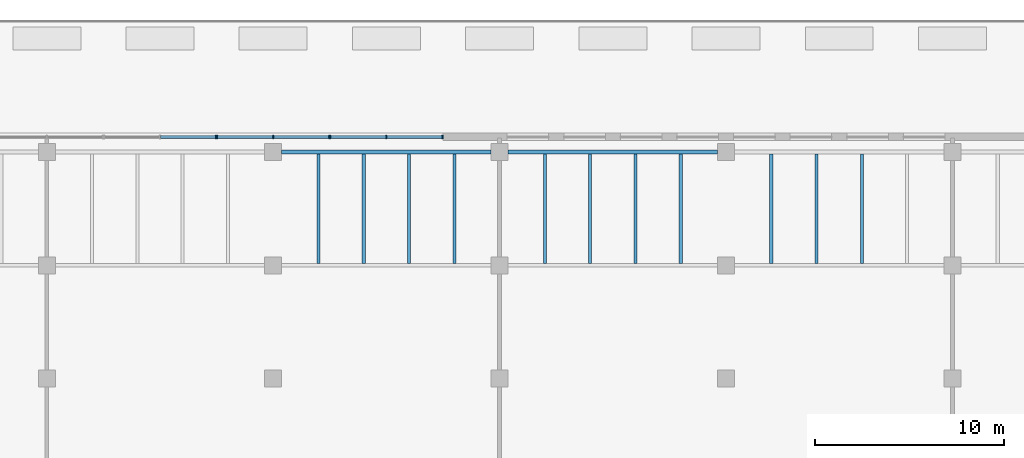
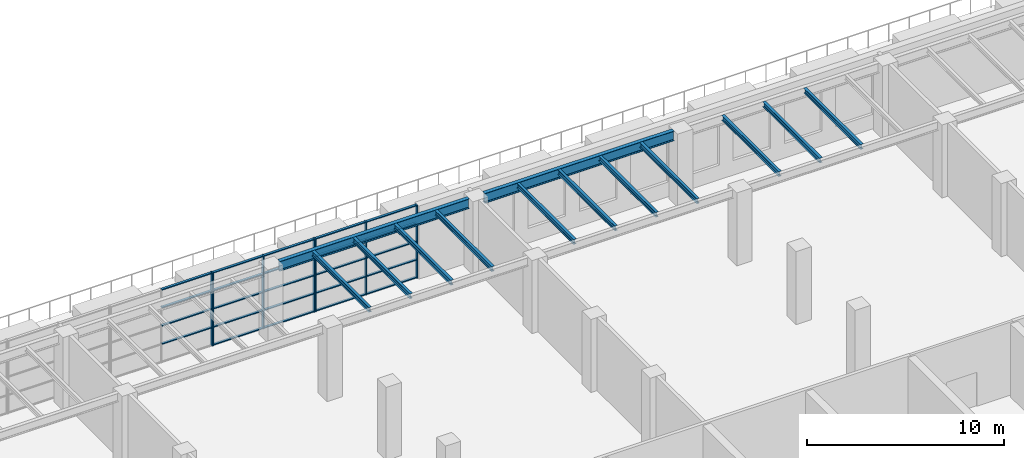
# One storey, part 3 of 20: 31 members, 13 beams, 3 elements without a shape of their own.
"""IFC4 building model written with IfcOpenShell, lengths in metres."""

from ifc_helpers import new_model, si_unit, direction, frame, origin, origin_2d, place, context, subcontext, project, spatial, rectangle, i_section, extrude, source, transform, mapped, material, layer, layer_set, material_profile, profile_set, type_object, element, aggregate, save


model = new_model("IFC4")

# Units and contexts
model_context = context("Model", 3, precision=1e-05, world=origin(), true_north=direction((0.0, 1.0)))
body_context = subcontext(model_context, "Body", "Model", "MODEL_VIEW")
ifc_project = project(units=[si_unit("LENGTHUNIT", "METRE"), si_unit("AREAUNIT", "SQUARE_METRE"), si_unit("VOLUMEUNIT", "CUBIC_METRE"), si_unit("PLANEANGLEUNIT", "RADIAN"), si_unit("MASSUNIT", "GRAM", prefix="KILO")], contexts=[model_context])

# Site, building, storey
site_placement = place(None, origin())
site = spatial("IfcSite", under=ifc_project, at=site_placement, CompositionType="ELEMENT")
building_placement = place(site_placement, origin())
building = spatial("IfcBuilding", under=site, at=building_placement, Name="Poui Terraces", CompositionType="ELEMENT")
storey_placement = place(building_placement, frame((0.0, 0.0, 6.0)))
storey = spatial("IfcBuildingStorey", under=building, at=storey_placement, Name="L01", CompositionType="ELEMENT", Elevation=6.0)

# Curtain wall, member
ifc_material_1 = material(Name="Clear glass", Category="glass")
ifc_layer = layer(ifc_material_1, 0.199951171875)
ifc_layer_set = layer_set([ifc_layer], Name="Clear glass")
curtain_wall_type = type_object("IfcCurtainWallType", Name="CURTAIN WALL CW-A HEALTH CENTRE FRONTAGE", PredefinedType="NOTDEFINED", material=ifc_layer_set)
curtain_wall_1_placement = place(storey_placement, origin())
curtain_wall_1 = element("IfcCurtainWall", 1, at=curtain_wall_1_placement, inside=storey, type_object=curtain_wall_type, Name="CW-A HEALTH CENTRE FRONTAGE", PredefinedType="NOTDEFINED")
ifc_material_2 = material(Name="Aluminium frame", Category="aluminium")
ifc_material_profile_1 = material_profile(ifc_material_2, rectangle(XDim=0.199951171875, YDim=0.06005859375, at=origin_2d()), Name="CW-A MULLION 60X200")
ifc_profile_set_1 = profile_set([ifc_material_profile_1], Name="Aluminium frame")
member_type_1 = type_object("IfcMemberType", Name="CW-A MULLION 60X200", PredefinedType="MULLION", material=ifc_profile_set_1)
member_1_placement = place(storey_placement, frame((32.969970703125, 68.800048828125, 0.0), z_axis=(0.0, 0.0, 1.0), x_axis=(0.0, -1.0, 0.0)))
member_1 = element("IfcMember", 2, at=member_1_placement, type_object=member_type_1, Name="CW-A mullion 1", PredefinedType="MULLION", context=body_context, shape_type="SweptSolid", body=[
    extrude(rectangle(XDim=0.199951171875, YDim=0.06005859375, at=origin_2d()), origin(), (0.0, 0.0, 1.0), 4.52001953125),
])

# Curtain wall, members
curtain_wall_2_placement = place(storey_placement, origin())
curtain_wall_2 = element("IfcCurtainWall", 3, at=curtain_wall_2_placement, inside=storey, type_object=curtain_wall_type, Name="CW-A HEALTH CENTRE FRONTAGE", PredefinedType="NOTDEFINED")
member_2_placement = place(storey_placement, frame((38.969970703125, 68.800048828125, 0.0), z_axis=(0.0, 0.0, 1.0), x_axis=(0.0, -1.0, 0.0)))
member_2 = element("IfcMember", 4, at=member_2_placement, type_object=member_type_1, Name="CW-A mullion 1", PredefinedType="MULLION", context=body_context, shape_type="SweptSolid", body=[
    extrude(rectangle(XDim=0.199951171875, YDim=0.06005859375, at=origin_2d()), origin(), (0.0, 0.0, 1.0), 4.52001953125),
])
member_3_placement = place(storey_placement, frame((36.0, 68.800048828125, 0.0), z_axis=(0.0, 0.0, 1.0), x_axis=(0.0, -1.0, 0.0)))
member_3 = element("IfcMember", 5, at=member_3_placement, type_object=member_type_1, Name="CW-A mullion 2", PredefinedType="MULLION", context=body_context, shape_type="SweptSolid", body=[
    extrude(rectangle(XDim=0.199951171875, YDim=0.06005859375, at=origin_2d()), origin(), (0.0, 0.0, 1.0), 4.52001953125),
])
member_4_placement = place(storey_placement, frame((33.030029296875, 68.800048828125, 0.0), z_axis=(0.0, 0.0, 1.0), x_axis=(0.0, -1.0, 0.0)))
member_4 = element("IfcMember", 6, at=member_4_placement, type_object=member_type_1, Name="CW-A mullion 3", PredefinedType="MULLION", context=body_context, shape_type="SweptSolid", body=[
    extrude(rectangle(XDim=0.199951171875, YDim=0.06005859375, at=origin_2d()), origin(), (0.0, 0.0, 1.0), 4.52001953125),
])

curtain_wall_3_placement = place(storey_placement, origin())
curtain_wall_3 = element("IfcCurtainWall", 7, at=curtain_wall_3_placement, inside=storey, type_object=curtain_wall_type, Name="CW-A HEALTH CENTRE FRONTAGE", PredefinedType="NOTDEFINED")
member_5_placement = place(storey_placement, frame((44.969970703125, 68.800048828125, 0.0), z_axis=(0.0, 0.0, 1.0), x_axis=(0.0, -1.0, 0.0)))
member_5 = element("IfcMember", 8, at=member_5_placement, type_object=member_type_1, Name="CW-A mullion 1", PredefinedType="MULLION", context=body_context, shape_type="SweptSolid", body=[
    extrude(rectangle(XDim=0.199951171875, YDim=0.06005859375, at=origin_2d()), origin(), (0.0, 0.0, 1.0), 4.52001953125),
])
member_6_placement = place(storey_placement, frame((42.0, 68.800048828125, 0.0), z_axis=(0.0, 0.0, 1.0), x_axis=(0.0, -1.0, 0.0)))
member_6 = element("IfcMember", 9, at=member_6_placement, type_object=member_type_1, Name="CW-A mullion 2", PredefinedType="MULLION", context=body_context, shape_type="SweptSolid", body=[
    extrude(rectangle(XDim=0.199951171875, YDim=0.06005859375, at=origin_2d()), origin(), (0.0, 0.0, 1.0), 4.52001953125),
])
member_7_placement = place(storey_placement, frame((39.030029296875, 68.800048828125, 0.0), z_axis=(0.0, 0.0, 1.0), x_axis=(0.0, -1.0, 0.0)))
member_7 = element("IfcMember", 10, at=member_7_placement, type_object=member_type_1, Name="CW-A mullion 3", PredefinedType="MULLION", context=body_context, shape_type="SweptSolid", body=[
    extrude(rectangle(XDim=0.199951171875, YDim=0.06005859375, at=origin_2d()), origin(), (0.0, 0.0, 1.0), 4.52001953125),
])

# Member
ifc_material_profile_2 = material_profile(ifc_material_2, rectangle(XDim=0.139892578125, YDim=0.06005859375, at=origin_2d()), Name="CW-A TRANSOM 60X140")
ifc_profile_set_2 = profile_set([ifc_material_profile_2], Name="Aluminium frame")
member_type_2 = type_object("IfcMemberType", Name="CW-A TRANSOM 60X140", PredefinedType="USERDEFINED", material=ifc_profile_set_2)
member_8_placement = place(storey_placement, frame((32.93994140625, 68.800048828125, 1.1298828125), z_axis=(-1.0, 0.0, 0.0), x_axis=(0.0, -1.0, 0.0)))
member_8 = element("IfcMember", 11, at=member_8_placement, type_object=member_type_2, Name="CW-A transom 1.2", ObjectType="TRANSOM", PredefinedType="USERDEFINED", context=body_context, shape_type="SweptSolid", body=[
    extrude(rectangle(XDim=0.139892578125, YDim=0.06005859375, at=origin_2d()), origin(), (0.0, 0.0, 1.0), 2.909912109375),
])

member_9_placement = place(storey_placement, frame((32.93994140625, 68.800048828125, 2.260009765625), z_axis=(-1.0, 0.0, 0.0), x_axis=(0.0, -1.0, 0.0)))
member_9 = element("IfcMember", 12, at=member_9_placement, type_object=member_type_2, Name="CW-A transom 1.3", ObjectType="TRANSOM", PredefinedType="USERDEFINED", context=body_context, shape_type="SweptSolid", body=[
    extrude(rectangle(XDim=0.139892578125, YDim=0.06005859375, at=origin_2d()), origin(), (0.0, 0.0, 1.0), 2.909912109375),
])

member_10_placement = place(storey_placement, frame((32.93994140625, 68.800048828125, 3.389892578125), z_axis=(-1.0, 0.0, 0.0), x_axis=(0.0, -1.0, 0.0)))
member_10 = element("IfcMember", 13, at=member_10_placement, type_object=member_type_2, Name="CW-A transom 1.4", ObjectType="TRANSOM", PredefinedType="USERDEFINED", context=body_context, shape_type="SweptSolid", body=[
    extrude(rectangle(XDim=0.139892578125, YDim=0.06005859375, at=origin_2d()), origin(), (0.0, 0.0, 1.0), 2.909912109375),
])

member_11_placement = place(storey_placement, frame((32.93994140625, 68.800048828125, 4.489990234375), z_axis=(-1.0, 0.0, 0.0), x_axis=(0.0, -1.0, 0.0)))
member_11 = element("IfcMember", 14, at=member_11_placement, type_object=member_type_2, Name="CW-A transom 1.5", ObjectType="TRANSOM", PredefinedType="USERDEFINED", context=body_context, shape_type="SweptSolid", body=[
    extrude(rectangle(XDim=0.139892578125, YDim=0.06005859375, at=origin_2d()), origin(), (0.0, 0.0, 1.0), 2.909912109375),
])

aggregate(curtain_wall_1, [member_1, member_8, member_9, member_10, member_11])

member_12_placement = place(storey_placement, frame((38.93994140625, 68.800048828125, 0.030029296875), z_axis=(-1.0, 0.0, 0.0), x_axis=(0.0, -1.0, 0.0)))
member_12 = element("IfcMember", 15, at=member_12_placement, type_object=member_type_2, Name="CW-A transom 1.1", ObjectType="TRANSOM", PredefinedType="USERDEFINED", context=body_context, shape_type="SweptSolid", body=[
    extrude(rectangle(XDim=0.139892578125, YDim=0.06005859375, at=origin_2d()), origin(), (0.0, 0.0, 1.0), 2.909912109375),
])

member_13_placement = place(storey_placement, frame((38.93994140625, 68.800048828125, 1.1298828125), z_axis=(-1.0, 0.0, 0.0), x_axis=(0.0, -1.0, 0.0)))
member_13 = element("IfcMember", 16, at=member_13_placement, type_object=member_type_2, Name="CW-A transom 1.2", ObjectType="TRANSOM", PredefinedType="USERDEFINED", context=body_context, shape_type="SweptSolid", body=[
    extrude(rectangle(XDim=0.139892578125, YDim=0.06005859375, at=origin_2d()), origin(), (0.0, 0.0, 1.0), 2.909912109375),
])

member_14_placement = place(storey_placement, frame((38.93994140625, 68.800048828125, 2.260009765625), z_axis=(-1.0, 0.0, 0.0), x_axis=(0.0, -1.0, 0.0)))
member_14 = element("IfcMember", 17, at=member_14_placement, type_object=member_type_2, Name="CW-A transom 1.3", ObjectType="TRANSOM", PredefinedType="USERDEFINED", context=body_context, shape_type="SweptSolid", body=[
    extrude(rectangle(XDim=0.139892578125, YDim=0.06005859375, at=origin_2d()), origin(), (0.0, 0.0, 1.0), 2.909912109375),
])

member_15_placement = place(storey_placement, frame((38.93994140625, 68.800048828125, 3.389892578125), z_axis=(-1.0, 0.0, 0.0), x_axis=(0.0, -1.0, 0.0)))
member_15 = element("IfcMember", 18, at=member_15_placement, type_object=member_type_2, Name="CW-A transom 1.4", ObjectType="TRANSOM", PredefinedType="USERDEFINED", context=body_context, shape_type="SweptSolid", body=[
    extrude(rectangle(XDim=0.139892578125, YDim=0.06005859375, at=origin_2d()), origin(), (0.0, 0.0, 1.0), 2.909912109375),
])

member_16_placement = place(storey_placement, frame((38.93994140625, 68.800048828125, 4.489990234375), z_axis=(-1.0, 0.0, 0.0), x_axis=(0.0, -1.0, 0.0)))
member_16 = element("IfcMember", 19, at=member_16_placement, type_object=member_type_2, Name="CW-A transom 1.5", ObjectType="TRANSOM", PredefinedType="USERDEFINED", context=body_context, shape_type="SweptSolid", body=[
    extrude(rectangle(XDim=0.139892578125, YDim=0.06005859375, at=origin_2d()), origin(), (0.0, 0.0, 1.0), 2.909912109375),
])

member_17_placement = place(storey_placement, frame((35.969970703125, 68.800048828125, 0.030029296875), z_axis=(-1.0, 0.0, 0.0), x_axis=(0.0, -1.0, 0.0)))
member_17 = element("IfcMember", 20, at=member_17_placement, type_object=member_type_2, Name="CW-A transom 2.1", ObjectType="TRANSOM", PredefinedType="USERDEFINED", context=body_context, shape_type="SweptSolid", body=[
    extrude(rectangle(XDim=0.139892578125, YDim=0.06005859375, at=origin_2d()), origin(), (0.0, 0.0, 1.0), 2.909912109375),
])

member_18_placement = place(storey_placement, frame((35.969970703125, 68.800048828125, 1.1298828125), z_axis=(-1.0, 0.0, 0.0), x_axis=(0.0, -1.0, 0.0)))
member_18 = element("IfcMember", 21, at=member_18_placement, type_object=member_type_2, Name="CW-A transom 2.2", ObjectType="TRANSOM", PredefinedType="USERDEFINED", context=body_context, shape_type="SweptSolid", body=[
    extrude(rectangle(XDim=0.139892578125, YDim=0.06005859375, at=origin_2d()), origin(), (0.0, 0.0, 1.0), 2.909912109375),
])

member_19_placement = place(storey_placement, frame((35.969970703125, 68.800048828125, 2.260009765625), z_axis=(-1.0, 0.0, 0.0), x_axis=(0.0, -1.0, 0.0)))
member_19 = element("IfcMember", 22, at=member_19_placement, type_object=member_type_2, Name="CW-A transom 2.3", ObjectType="TRANSOM", PredefinedType="USERDEFINED", context=body_context, shape_type="SweptSolid", body=[
    extrude(rectangle(XDim=0.139892578125, YDim=0.06005859375, at=origin_2d()), origin(), (0.0, 0.0, 1.0), 2.909912109375),
])

member_20_placement = place(storey_placement, frame((35.969970703125, 68.800048828125, 3.389892578125), z_axis=(-1.0, 0.0, 0.0), x_axis=(0.0, -1.0, 0.0)))
member_20 = element("IfcMember", 23, at=member_20_placement, type_object=member_type_2, Name="CW-A transom 2.4", ObjectType="TRANSOM", PredefinedType="USERDEFINED", context=body_context, shape_type="SweptSolid", body=[
    extrude(rectangle(XDim=0.139892578125, YDim=0.06005859375, at=origin_2d()), origin(), (0.0, 0.0, 1.0), 2.909912109375),
])

member_21_placement = place(storey_placement, frame((35.969970703125, 68.800048828125, 4.489990234375), z_axis=(-1.0, 0.0, 0.0), x_axis=(0.0, -1.0, 0.0)))
member_21 = element("IfcMember", 24, at=member_21_placement, type_object=member_type_2, Name="CW-A transom 2.5", ObjectType="TRANSOM", PredefinedType="USERDEFINED", context=body_context, shape_type="SweptSolid", body=[
    extrude(rectangle(XDim=0.139892578125, YDim=0.06005859375, at=origin_2d()), origin(), (0.0, 0.0, 1.0), 2.909912109375),
])

aggregate(curtain_wall_2, [member_2, member_3, member_4, member_12, member_13, member_14, member_15, member_16, member_17, member_18, member_19, member_20, member_21])

member_22_placement = place(storey_placement, frame((44.93994140625, 68.800048828125, 0.030029296875), z_axis=(-1.0, 0.0, 0.0), x_axis=(0.0, -1.0, 0.0)))
member_22 = element("IfcMember", 25, at=member_22_placement, type_object=member_type_2, Name="CW-A transom 1.1", ObjectType="TRANSOM", PredefinedType="USERDEFINED", context=body_context, shape_type="SweptSolid", body=[
    extrude(rectangle(XDim=0.139892578125, YDim=0.06005859375, at=origin_2d()), origin(), (0.0, 0.0, 1.0), 2.909912109375),
])

member_23_placement = place(storey_placement, frame((44.93994140625, 68.800048828125, 1.1298828125), z_axis=(-1.0, 0.0, 0.0), x_axis=(0.0, -1.0, 0.0)))
member_23 = element("IfcMember", 26, at=member_23_placement, type_object=member_type_2, Name="CW-A transom 1.2", ObjectType="TRANSOM", PredefinedType="USERDEFINED", context=body_context, shape_type="SweptSolid", body=[
    extrude(rectangle(XDim=0.139892578125, YDim=0.06005859375, at=origin_2d()), origin(), (0.0, 0.0, 1.0), 2.909912109375),
])

member_24_placement = place(storey_placement, frame((44.93994140625, 68.800048828125, 2.260009765625), z_axis=(-1.0, 0.0, 0.0), x_axis=(0.0, -1.0, 0.0)))
member_24 = element("IfcMember", 27, at=member_24_placement, type_object=member_type_2, Name="CW-A transom 1.3", ObjectType="TRANSOM", PredefinedType="USERDEFINED", context=body_context, shape_type="SweptSolid", body=[
    extrude(rectangle(XDim=0.139892578125, YDim=0.06005859375, at=origin_2d()), origin(), (0.0, 0.0, 1.0), 2.909912109375),
])

member_25_placement = place(storey_placement, frame((44.93994140625, 68.800048828125, 3.389892578125), z_axis=(-1.0, 0.0, 0.0), x_axis=(0.0, -1.0, 0.0)))
member_25 = element("IfcMember", 28, at=member_25_placement, type_object=member_type_2, Name="CW-A transom 1.4", ObjectType="TRANSOM", PredefinedType="USERDEFINED", context=body_context, shape_type="SweptSolid", body=[
    extrude(rectangle(XDim=0.139892578125, YDim=0.06005859375, at=origin_2d()), origin(), (0.0, 0.0, 1.0), 2.909912109375),
])

member_26_placement = place(storey_placement, frame((44.93994140625, 68.800048828125, 4.489990234375), z_axis=(-1.0, 0.0, 0.0), x_axis=(0.0, -1.0, 0.0)))
member_26 = element("IfcMember", 29, at=member_26_placement, type_object=member_type_2, Name="CW-A transom 1.5", ObjectType="TRANSOM", PredefinedType="USERDEFINED", context=body_context, shape_type="SweptSolid", body=[
    extrude(rectangle(XDim=0.139892578125, YDim=0.06005859375, at=origin_2d()), origin(), (0.0, 0.0, 1.0), 2.909912109375),
])

member_27_placement = place(storey_placement, frame((41.969970703125, 68.800048828125, 0.030029296875), z_axis=(-1.0, 0.0, 0.0), x_axis=(0.0, -1.0, 0.0)))
member_27 = element("IfcMember", 30, at=member_27_placement, type_object=member_type_2, Name="CW-A transom 2.1", ObjectType="TRANSOM", PredefinedType="USERDEFINED", context=body_context, shape_type="SweptSolid", body=[
    extrude(rectangle(XDim=0.139892578125, YDim=0.06005859375, at=origin_2d()), origin(), (0.0, 0.0, 1.0), 2.909912109375),
])

member_28_placement = place(storey_placement, frame((41.969970703125, 68.800048828125, 1.1298828125), z_axis=(-1.0, 0.0, 0.0), x_axis=(0.0, -1.0, 0.0)))
member_28 = element("IfcMember", 31, at=member_28_placement, type_object=member_type_2, Name="CW-A transom 2.2", ObjectType="TRANSOM", PredefinedType="USERDEFINED", context=body_context, shape_type="SweptSolid", body=[
    extrude(rectangle(XDim=0.139892578125, YDim=0.06005859375, at=origin_2d()), origin(), (0.0, 0.0, 1.0), 2.909912109375),
])

member_29_placement = place(storey_placement, frame((41.969970703125, 68.800048828125, 2.260009765625), z_axis=(-1.0, 0.0, 0.0), x_axis=(0.0, -1.0, 0.0)))
member_29 = element("IfcMember", 32, at=member_29_placement, type_object=member_type_2, Name="CW-A transom 2.3", ObjectType="TRANSOM", PredefinedType="USERDEFINED", context=body_context, shape_type="SweptSolid", body=[
    extrude(rectangle(XDim=0.139892578125, YDim=0.06005859375, at=origin_2d()), origin(), (0.0, 0.0, 1.0), 2.909912109375),
])

member_30_placement = place(storey_placement, frame((41.969970703125, 68.800048828125, 3.389892578125), z_axis=(-1.0, 0.0, 0.0), x_axis=(0.0, -1.0, 0.0)))
member_30 = element("IfcMember", 33, at=member_30_placement, type_object=member_type_2, Name="CW-A transom 2.4", ObjectType="TRANSOM", PredefinedType="USERDEFINED", context=body_context, shape_type="SweptSolid", body=[
    extrude(rectangle(XDim=0.139892578125, YDim=0.06005859375, at=origin_2d()), origin(), (0.0, 0.0, 1.0), 2.909912109375),
])

member_31_placement = place(storey_placement, frame((41.969970703125, 68.800048828125, 4.489990234375), z_axis=(-1.0, 0.0, 0.0), x_axis=(0.0, -1.0, 0.0)))
member_31 = element("IfcMember", 34, at=member_31_placement, type_object=member_type_2, Name="CW-A transom 2.5", ObjectType="TRANSOM", PredefinedType="USERDEFINED", context=body_context, shape_type="SweptSolid", body=[
    extrude(rectangle(XDim=0.139892578125, YDim=0.06005859375, at=origin_2d()), origin(), (0.0, 0.0, 1.0), 2.909912109375),
])

aggregate(curtain_wall_3, [member_5, member_6, member_7, member_22, member_23, member_24, member_25, member_26, member_27, member_28, member_29, member_30, member_31])

# Beams
ifc_material_3 = material(Name="Steel Grade 300 MPa", Category="steel")
ifc_material_profile_3 = material_profile(ifc_material_3, i_section(OverallWidth=0.166015625, OverallDepth=0.30712890625, WebThickness=0.006591796875, FlangeThickness=0.01171875, FilletRadius=0.011474609375, at=origin_2d()), Name="310UB46.2")
ifc_profile_set_3 = profile_set([ifc_material_profile_3], Name="Steel Grade 300 MPa")
beam_type_1 = type_object("IfcBeamType", Name="TERRACE BEAM 310UB46.2", PredefinedType="BEAM", material=ifc_profile_set_3)
shared_shape_1 = source(origin(), body_context, "Body", "SweptSolid", [
    extrude(i_section(OverallWidth=0.166015625, OverallDepth=0.30712890625, WebThickness=0.006591796875, FlangeThickness=0.01171875, FilletRadius=0.011474609375, at=origin_2d()), origin(), (0.0, 0.0, 1.0), 5.781005859375),
])
for number, where, z_axis, x_axis, name in (
    (35, (38.39990234375, 62.1044921875, 4.366455078125), (0.0, 1.0, 0.0), (-1.0, 0.0, 0.0), "TERRACE BEAM"),
    (36, (40.800048828125, 62.1044921875, 4.366455078125), (0.0, 1.0, 0.0), (-1.0, 0.0, 0.0), "TERRACE BEAM"),
    (37, (43.199951171875, 62.1044921875, 4.366455078125), (0.0, 1.0, 0.0), (-1.0, 0.0, 0.0), "TERRACE BEAM"),
    (38, (45.60009765625, 62.1044921875, 4.366455078125), (0.0, 1.0, 0.0), (-1.0, 0.0, 0.0), "TERRACE BEAM"),
    (39, (50.39990234375, 62.1044921875, 4.366455078125), (0.0, 1.0, 0.0), (-1.0, 0.0, 0.0), "TERRACE BEAM"),
    (40, (52.800048828125, 62.1044921875, 4.366455078125), (0.0, 1.0, 0.0), (-1.0, 0.0, 0.0), "TERRACE BEAM"),
    (41, (55.199951171875, 62.1044921875, 4.366455078125), (0.0, 1.0, 0.0), (-1.0, 0.0, 0.0), "TERRACE BEAM"),
    (42, (57.60009765625, 62.1044921875, 4.366455078125), (0.0, 1.0, 0.0), (-1.0, 0.0, 0.0), "TERRACE BEAM"),
    (43, (62.39990234375, 62.1044921875, 4.366455078125), (0.0, 1.0, 0.0), (-1.0, 0.0, 0.0), "TERRACE BEAM"),
    (44, (64.800048828125, 62.1044921875, 4.366455078125), (0.0, 1.0, 0.0), (-1.0, 0.0, 0.0), "TERRACE BEAM"),
    (45, (67.199951171875, 62.1044921875, 4.366455078125), (0.0, 1.0, 0.0), (-1.0, 0.0, 0.0), "TERRACE BEAM"),
):
    element("IfcBeam", number, at=place(storey_placement, frame(where, z_axis=z_axis, x_axis=x_axis)), inside=storey, type_object=beam_type_1, Name=name, PredefinedType="BEAM", context=body_context, shape_type="MappedRepresentation", body=[
        mapped(shared_shape_1, transform((0.0, 0.0, 0.0))),
    ])
ifc_material_profile_4 = material_profile(ifc_material_3, i_section(OverallWidth=0.22900390625, OverallDepth=0.611572265625, WebThickness=0.011962890625, FlangeThickness=0.01953125, FilletRadius=0.013916015625, at=origin_2d()), Name="610UB125")
ifc_profile_set_4 = profile_set([ifc_material_profile_4], Name="Steel Grade 300 MPa")
beam_type_2 = type_object("IfcBeamType", Name="TERRACE GIRDER 610UB125", PredefinedType="BEAM", material=ifc_profile_set_4)
shared_shape_2 = source(origin(), body_context, "Body", "SweptSolid", [
    extrude(i_section(OverallWidth=0.22900390625, OverallDepth=0.611572265625, WebThickness=0.011962890625, FlangeThickness=0.01953125, FilletRadius=0.013916015625, at=origin_2d()), origin(), (0.0, 0.0, 1.0), 11.10009765625),
])
for number, where, z_axis, x_axis, name in (
    (46, (36.449951171875, 68.0, 4.214111328125), (1.0, 0.0, 0.0), (0.0, 1.0, 0.0), "TERRACE GIRDER"),
    (47, (48.449951171875, 68.0, 4.214111328125), (1.0, 0.0, 0.0), (0.0, 1.0, 0.0), "TERRACE GIRDER"),
):
    element("IfcBeam", number, at=place(storey_placement, frame(where, z_axis=z_axis, x_axis=x_axis)), inside=storey, type_object=beam_type_2, Name=name, PredefinedType="BEAM", context=body_context, shape_type="MappedRepresentation", body=[
        mapped(shared_shape_2, transform((0.0, 0.0, 0.0))),
    ])

save(model, "model.ifc")
